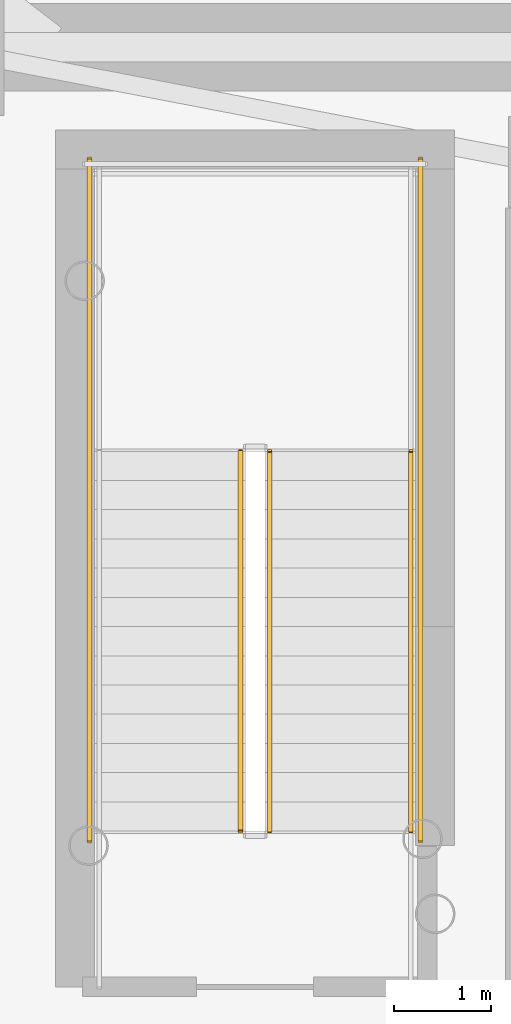
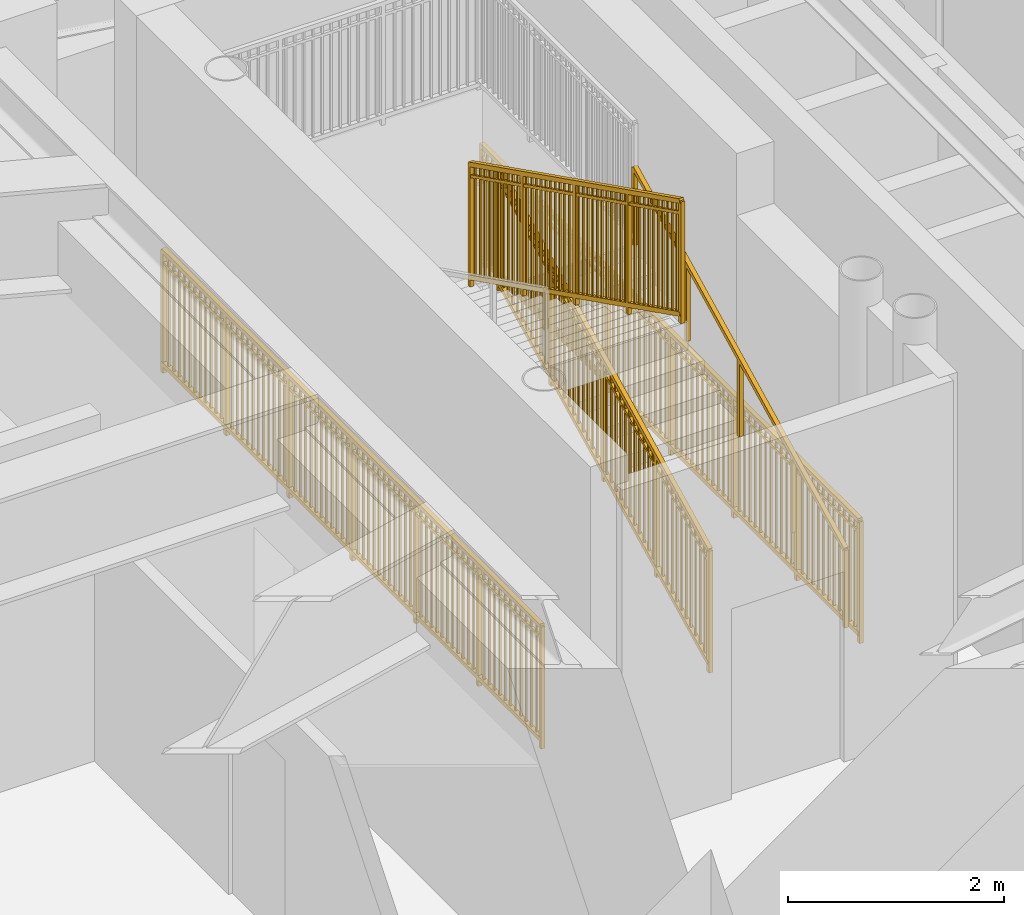
# One storey, part 21 of 27: 5 railings.
"""IFC4 building model written with IfcOpenShell, lengths in metres."""

from ifc_helpers import new_model, si_unit, direction, frame, origin, origin_2d, place, context, subcontext, project, spatial, rectangle, extrude, source, transform, mapped, material, type_object, element, save


model = new_model("IFC4")

# Units and contexts
model_context = context("Model", 3, precision=1e-05, world=origin(), true_north=direction((0.0, 1.0)))
body_context = subcontext(model_context, "Body", "Model", "MODEL_VIEW")
ifc_project = project(units=[si_unit("LENGTHUNIT", "METRE"), si_unit("AREAUNIT", "SQUARE_METRE"), si_unit("VOLUMEUNIT", "CUBIC_METRE"), si_unit("PLANEANGLEUNIT", "RADIAN"), si_unit("MASSUNIT", "GRAM", prefix="KILO")], contexts=[model_context])

# Site, building, storey
site_placement = place(None, origin())
site = spatial("IfcSite", under=ifc_project, at=site_placement, CompositionType="ELEMENT")
building_placement = place(site_placement, origin())
building = spatial("IfcBuilding", under=site, at=building_placement, Name="Linh Dai School and Residence Tower", CompositionType="ELEMENT")
storey_placement = place(building_placement, frame((0.0, 0.0, 22.800048828125)))
storey = spatial("IfcBuildingStorey", under=building, at=storey_placement, Name="L05", CompositionType="ELEMENT", Elevation=22.800048828125)

# Railings
ifc_material_1 = material(Name="Structural Steel S355JR", Category="steel")
railing_type_1 = type_object("IfcRailingType", Name="RL-ST-GUARD-1400", PredefinedType="GUARDRAIL", material=ifc_material_1)
shared_shape_1 = source(origin(), body_context, "Body", "SweptSolid", [
    extrude(rectangle(XDim=0.048095703125, YDim=0.048095703125, at=origin_2d()), frame((0.0, 0.0, 1.3759765625), z_axis=(0.0, 1.0, 0.0), x_axis=(-1.0, 0.0, 0.0)), (0.0, 0.0, 1.0), 7.0),
    extrude(rectangle(XDim=0.048095703125, YDim=0.048095703125, at=origin_2d()), frame((0.0, 0.0, 0.10009765625), z_axis=(0.0, 1.0, 0.0), x_axis=(-1.0, 0.0, 0.0)), (0.0, 0.0, 1.0), 7.0),
    extrude(rectangle(XDim=0.030029296875, YDim=0.030029296875, at=origin_2d()), frame((0.0, 0.0, 1.239990234375), z_axis=(0.0, 1.0, 0.0), x_axis=(-1.0, 0.0, 0.0)), (0.0, 0.0, 1.0), 7.0),
    extrude(rectangle(XDim=0.02001953125, YDim=0.02001953125, at=origin_2d()), frame((0.0, 0.09716796875, 0.10009765625)), (0.0, 0.0, 1.0), 1.251708984375),
    extrude(rectangle(XDim=0.02001953125, YDim=0.02001953125, at=origin_2d()), frame((0.0, 0.1943359375, 0.10009765625)), (0.0, 0.0, 1.0), 1.251708984375),
    extrude(rectangle(XDim=0.02001953125, YDim=0.02001953125, at=origin_2d()), frame((0.0, 0.291748046875, 0.10009765625)), (0.0, 0.0, 1.0), 1.251708984375),
    extrude(rectangle(XDim=0.02001953125, YDim=0.02001953125, at=origin_2d()), frame((0.0, 0.388916015625, 0.10009765625)), (0.0, 0.0, 1.0), 1.251708984375),
    extrude(rectangle(XDim=0.02001953125, YDim=0.02001953125, at=origin_2d()), frame((0.0, 0.486083984375, 0.10009765625)), (0.0, 0.0, 1.0), 1.251708984375),
    extrude(rectangle(XDim=0.02001953125, YDim=0.02001953125, at=origin_2d()), frame((0.0, 0.583251953125, 0.10009765625)), (0.0, 0.0, 1.0), 1.251708984375),
    extrude(rectangle(XDim=0.02001953125, YDim=0.02001953125, at=origin_2d()), frame((0.0, 0.6806640625, 0.10009765625)), (0.0, 0.0, 1.0), 1.251708984375),
    extrude(rectangle(XDim=0.02001953125, YDim=0.02001953125, at=origin_2d()), frame((0.0, 0.77783203125, 0.10009765625)), (0.0, 0.0, 1.0), 1.251708984375),
    extrude(rectangle(XDim=0.02001953125, YDim=0.02001953125, at=origin_2d()), frame((0.0, 0.875, 0.10009765625)), (0.0, 0.0, 1.0), 1.251708984375),
    extrude(rectangle(XDim=0.02001953125, YDim=0.02001953125, at=origin_2d()), frame((0.0, 0.97216796875, 0.10009765625)), (0.0, 0.0, 1.0), 1.251708984375),
    extrude(rectangle(XDim=0.02001953125, YDim=0.02001953125, at=origin_2d()), frame((0.0, 1.0693359375, 0.10009765625)), (0.0, 0.0, 1.0), 1.251708984375),
    extrude(rectangle(XDim=0.02001953125, YDim=0.02001953125, at=origin_2d()), frame((0.0, 1.263916015625, 0.10009765625)), (0.0, 0.0, 1.0), 1.251708984375),
    extrude(rectangle(XDim=0.02001953125, YDim=0.02001953125, at=origin_2d()), frame((0.0, 1.361083984375, 0.10009765625)), (0.0, 0.0, 1.0), 1.251708984375),
    extrude(rectangle(XDim=0.02001953125, YDim=0.02001953125, at=origin_2d()), frame((0.0, 1.458251953125, 0.10009765625)), (0.0, 0.0, 1.0), 1.251708984375),
    extrude(rectangle(XDim=0.02001953125, YDim=0.02001953125, at=origin_2d()), frame((0.0, 1.5556640625, 0.10009765625)), (0.0, 0.0, 1.0), 1.251708984375),
    extrude(rectangle(XDim=0.02001953125, YDim=0.02001953125, at=origin_2d()), frame((0.0, 1.65283203125, 0.10009765625)), (0.0, 0.0, 1.0), 1.251708984375),
    extrude(rectangle(XDim=0.02001953125, YDim=0.02001953125, at=origin_2d()), frame((0.0, 1.75, 0.10009765625)), (0.0, 0.0, 1.0), 1.251708984375),
    extrude(rectangle(XDim=0.02001953125, YDim=0.02001953125, at=origin_2d()), frame((0.0, 1.84716796875, 0.10009765625)), (0.0, 0.0, 1.0), 1.251708984375),
    extrude(rectangle(XDim=0.02001953125, YDim=0.02001953125, at=origin_2d()), frame((0.0, 1.9443359375, 0.10009765625)), (0.0, 0.0, 1.0), 1.251708984375),
    extrude(rectangle(XDim=0.02001953125, YDim=0.02001953125, at=origin_2d()), frame((0.0, 2.041748046875, 0.10009765625)), (0.0, 0.0, 1.0), 1.251708984375),
    extrude(rectangle(XDim=0.02001953125, YDim=0.02001953125, at=origin_2d()), frame((0.0, 2.138916015625, 0.10009765625)), (0.0, 0.0, 1.0), 1.251708984375),
    extrude(rectangle(XDim=0.02001953125, YDim=0.02001953125, at=origin_2d()), frame((0.0, 2.236083984375, 0.10009765625)), (0.0, 0.0, 1.0), 1.251708984375),
    extrude(rectangle(XDim=0.02001953125, YDim=0.02001953125, at=origin_2d()), frame((0.0, 2.4306640625, 0.10009765625)), (0.0, 0.0, 1.0), 1.251708984375),
    extrude(rectangle(XDim=0.02001953125, YDim=0.02001953125, at=origin_2d()), frame((0.0, 2.52783203125, 0.10009765625)), (0.0, 0.0, 1.0), 1.251708984375),
    extrude(rectangle(XDim=0.02001953125, YDim=0.02001953125, at=origin_2d()), frame((0.0, 2.625, 0.10009765625)), (0.0, 0.0, 1.0), 1.251708984375),
    extrude(rectangle(XDim=0.02001953125, YDim=0.02001953125, at=origin_2d()), frame((0.0, 2.72216796875, 0.10009765625)), (0.0, 0.0, 1.0), 1.251708984375),
    extrude(rectangle(XDim=0.02001953125, YDim=0.02001953125, at=origin_2d()), frame((0.0, 2.8193359375, 0.10009765625)), (0.0, 0.0, 1.0), 1.251708984375),
    extrude(rectangle(XDim=0.02001953125, YDim=0.02001953125, at=origin_2d()), frame((0.0, 2.916748046875, 0.10009765625)), (0.0, 0.0, 1.0), 1.251708984375),
    extrude(rectangle(XDim=0.02001953125, YDim=0.02001953125, at=origin_2d()), frame((0.0, 3.013916015625, 0.10009765625)), (0.0, 0.0, 1.0), 1.251708984375),
    extrude(rectangle(XDim=0.02001953125, YDim=0.02001953125, at=origin_2d()), frame((0.0, 3.111083984375, 0.10009765625)), (0.0, 0.0, 1.0), 1.251708984375),
    extrude(rectangle(XDim=0.02001953125, YDim=0.02001953125, at=origin_2d()), frame((0.0, 3.208251953125, 0.10009765625)), (0.0, 0.0, 1.0), 1.251708984375),
    extrude(rectangle(XDim=0.02001953125, YDim=0.02001953125, at=origin_2d()), frame((0.0, 3.3056640625, 0.10009765625)), (0.0, 0.0, 1.0), 1.251708984375),
    extrude(rectangle(XDim=0.02001953125, YDim=0.02001953125, at=origin_2d()), frame((0.0, 3.40283203125, 0.10009765625)), (0.0, 0.0, 1.0), 1.251708984375),
    extrude(rectangle(XDim=0.02001953125, YDim=0.02001953125, at=origin_2d()), frame((0.0, 3.59716796875, 0.10009765625)), (0.0, 0.0, 1.0), 1.251708984375),
    extrude(rectangle(XDim=0.02001953125, YDim=0.02001953125, at=origin_2d()), frame((0.0, 3.6943359375, 0.10009765625)), (0.0, 0.0, 1.0), 1.251708984375),
    extrude(rectangle(XDim=0.02001953125, YDim=0.02001953125, at=origin_2d()), frame((0.0, 3.791748046875, 0.10009765625)), (0.0, 0.0, 1.0), 1.251708984375),
    extrude(rectangle(XDim=0.02001953125, YDim=0.02001953125, at=origin_2d()), frame((0.0, 3.888916015625, 0.10009765625)), (0.0, 0.0, 1.0), 1.251708984375),
    extrude(rectangle(XDim=0.02001953125, YDim=0.02001953125, at=origin_2d()), frame((0.0, 3.986083984375, 0.10009765625)), (0.0, 0.0, 1.0), 1.251708984375),
    extrude(rectangle(XDim=0.02001953125, YDim=0.02001953125, at=origin_2d()), frame((0.0, 4.083251953125, 0.10009765625)), (0.0, 0.0, 1.0), 1.251708984375),
    extrude(rectangle(XDim=0.02001953125, YDim=0.02001953125, at=origin_2d()), frame((0.0, 4.1806640625, 0.10009765625)), (0.0, 0.0, 1.0), 1.251708984375),
    extrude(rectangle(XDim=0.02001953125, YDim=0.02001953125, at=origin_2d()), frame((0.0, 4.27783203125, 0.10009765625)), (0.0, 0.0, 1.0), 1.251708984375),
    extrude(rectangle(XDim=0.02001953125, YDim=0.02001953125, at=origin_2d()), frame((0.0, 4.375, 0.10009765625)), (0.0, 0.0, 1.0), 1.251708984375),
    extrude(rectangle(XDim=0.02001953125, YDim=0.02001953125, at=origin_2d()), frame((0.0, 4.47216796875, 0.10009765625)), (0.0, 0.0, 1.0), 1.251708984375),
    extrude(rectangle(XDim=0.02001953125, YDim=0.02001953125, at=origin_2d()), frame((0.0, 4.5693359375, 0.10009765625)), (0.0, 0.0, 1.0), 1.251708984375),
    extrude(rectangle(XDim=0.02001953125, YDim=0.02001953125, at=origin_2d()), frame((0.0, 4.763916015625, 0.10009765625)), (0.0, 0.0, 1.0), 1.251708984375),
    extrude(rectangle(XDim=0.02001953125, YDim=0.02001953125, at=origin_2d()), frame((0.0, 4.861083984375, 0.10009765625)), (0.0, 0.0, 1.0), 1.251708984375),
    extrude(rectangle(XDim=0.02001953125, YDim=0.02001953125, at=origin_2d()), frame((0.0, 4.958251953125, 0.10009765625)), (0.0, 0.0, 1.0), 1.251708984375),
    extrude(rectangle(XDim=0.02001953125, YDim=0.02001953125, at=origin_2d()), frame((0.0, 5.0556640625, 0.10009765625)), (0.0, 0.0, 1.0), 1.251708984375),
    extrude(rectangle(XDim=0.02001953125, YDim=0.02001953125, at=origin_2d()), frame((0.0, 5.15283203125, 0.10009765625)), (0.0, 0.0, 1.0), 1.251708984375),
    extrude(rectangle(XDim=0.02001953125, YDim=0.02001953125, at=origin_2d()), frame((0.0, 5.25, 0.10009765625)), (0.0, 0.0, 1.0), 1.251708984375),
    extrude(rectangle(XDim=0.02001953125, YDim=0.02001953125, at=origin_2d()), frame((0.0, 5.34716796875, 0.10009765625)), (0.0, 0.0, 1.0), 1.251708984375),
    extrude(rectangle(XDim=0.02001953125, YDim=0.02001953125, at=origin_2d()), frame((0.0, 5.4443359375, 0.10009765625)), (0.0, 0.0, 1.0), 1.251708984375),
    extrude(rectangle(XDim=0.02001953125, YDim=0.02001953125, at=origin_2d()), frame((0.0, 5.541748046875, 0.10009765625)), (0.0, 0.0, 1.0), 1.251708984375),
    extrude(rectangle(XDim=0.02001953125, YDim=0.02001953125, at=origin_2d()), frame((0.0, 5.638916015625, 0.10009765625)), (0.0, 0.0, 1.0), 1.251708984375),
    extrude(rectangle(XDim=0.02001953125, YDim=0.02001953125, at=origin_2d()), frame((0.0, 5.736083984375, 0.10009765625)), (0.0, 0.0, 1.0), 1.251708984375),
    extrude(rectangle(XDim=0.02001953125, YDim=0.02001953125, at=origin_2d()), frame((0.0, 5.9306640625, 0.10009765625)), (0.0, 0.0, 1.0), 1.251708984375),
    extrude(rectangle(XDim=0.02001953125, YDim=0.02001953125, at=origin_2d()), frame((0.0, 6.02783203125, 0.10009765625)), (0.0, 0.0, 1.0), 1.251708984375),
    extrude(rectangle(XDim=0.02001953125, YDim=0.02001953125, at=origin_2d()), frame((0.0, 6.125, 0.10009765625)), (0.0, 0.0, 1.0), 1.251708984375),
    extrude(rectangle(XDim=0.02001953125, YDim=0.02001953125, at=origin_2d()), frame((0.0, 6.22216796875, 0.10009765625)), (0.0, 0.0, 1.0), 1.251708984375),
    extrude(rectangle(XDim=0.02001953125, YDim=0.02001953125, at=origin_2d()), frame((0.0, 6.3193359375, 0.10009765625)), (0.0, 0.0, 1.0), 1.251708984375),
    extrude(rectangle(XDim=0.02001953125, YDim=0.02001953125, at=origin_2d()), frame((0.0, 6.416748046875, 0.10009765625)), (0.0, 0.0, 1.0), 1.251708984375),
    extrude(rectangle(XDim=0.02001953125, YDim=0.02001953125, at=origin_2d()), frame((0.0, 6.513916015625, 0.10009765625)), (0.0, 0.0, 1.0), 1.251708984375),
    extrude(rectangle(XDim=0.02001953125, YDim=0.02001953125, at=origin_2d()), frame((0.0, 6.611083984375, 0.10009765625)), (0.0, 0.0, 1.0), 1.251708984375),
    extrude(rectangle(XDim=0.02001953125, YDim=0.02001953125, at=origin_2d()), frame((0.0, 6.708251953125, 0.10009765625)), (0.0, 0.0, 1.0), 1.251708984375),
    extrude(rectangle(XDim=0.02001953125, YDim=0.02001953125, at=origin_2d()), frame((0.0, 6.8056640625, 0.10009765625)), (0.0, 0.0, 1.0), 1.251708984375),
    extrude(rectangle(XDim=0.02001953125, YDim=0.02001953125, at=origin_2d()), frame((0.0, 6.90283203125, 0.10009765625)), (0.0, 0.0, 1.0), 1.251708984375),
    extrude(rectangle(XDim=0.0419921875, YDim=0.0419921875, at=origin_2d()), origin(), (0.0, 0.0, 1.0), 1.3759765625),
    extrude(rectangle(XDim=0.0419921875, YDim=0.0419921875, at=origin_2d()), frame((0.0, 1.166748046875, 0.0)), (0.0, 0.0, 1.0), 1.3759765625),
    extrude(rectangle(XDim=0.0419921875, YDim=0.0419921875, at=origin_2d()), frame((0.0, 2.333251953125, 0.0)), (0.0, 0.0, 1.0), 1.3759765625),
    extrude(rectangle(XDim=0.0419921875, YDim=0.0419921875, at=origin_2d()), frame((0.0, 3.5, 0.0)), (0.0, 0.0, 1.0), 1.3759765625),
    extrude(rectangle(XDim=0.0419921875, YDim=0.0419921875, at=origin_2d()), frame((0.0, 4.666748046875, 0.0)), (0.0, 0.0, 1.0), 1.3759765625),
    extrude(rectangle(XDim=0.0419921875, YDim=0.0419921875, at=origin_2d()), frame((0.0, 5.833251953125, 0.0)), (0.0, 0.0, 1.0), 1.3759765625),
    extrude(rectangle(XDim=0.0419921875, YDim=0.0419921875, at=origin_2d()), frame((0.0, 7.0, 0.0)), (0.0, 0.0, 1.0), 1.3759765625),
])
for number, where, name in (
    (1, (31.030029296875, 25.60009765625, 0.0), "L05 ST1 stair guard 10"),
    (2, (27.6298828125, 25.60009765625, 0.0), "L05 ST1 stair guard 11"),
):
    element("IfcRailing", number, at=place(storey_placement, frame(where)), inside=storey, type_object=railing_type_1, Name=name, PredefinedType="GUARDRAIL", context=body_context, shape_type="MappedRepresentation", body=[
        mapped(shared_shape_1, transform((0.0, 0.0, 0.0), x_axis=(1.0, 0.0, 0.0), y_axis=(0.0, 1.0, 0.0), z_axis=(0.0, 0.0, 1.0), scale=1.0)),
    ])
shared_shape_2 = source(origin(), body_context, "Body", "SweptSolid", [
    extrude(rectangle(XDim=0.048095703125, YDim=0.048095703125, at=origin_2d()), frame((0.0, 0.0, 1.3759765625), z_axis=(0.0, -0.894438388696, 0.447191199406), x_axis=(1.0, 0.0, 0.0)), (0.0, 0.0, 1.0), 4.3603515625),
    extrude(rectangle(XDim=0.048095703125, YDim=0.048095703125, at=origin_2d()), frame((0.0, 0.0, 0.10009765625), z_axis=(0.0, -0.894438388696, 0.447191199406), x_axis=(1.0, 0.0, 0.0)), (0.0, 0.0, 1.0), 4.3603515625),
    extrude(rectangle(XDim=0.030029296875, YDim=0.030029296875, at=origin_2d()), frame((0.0, 0.0, 1.239990234375), z_axis=(0.0, -0.894438388696, 0.447191199406), x_axis=(1.0, 0.0, 0.0)), (0.0, 0.0, 1.0), 4.3603515625),
    extrude(rectangle(XDim=0.02001953125, YDim=0.02001953125, at=origin_2d()), frame((0.0, -0.086669921875, 0.143310546875)), (0.0, 0.0, 1.0), 1.251708984375),
    extrude(rectangle(XDim=0.02001953125, YDim=0.02001953125, at=origin_2d()), frame((0.0, -0.17333984375, 0.186767578125)), (0.0, 0.0, 1.0), 1.251708984375),
    extrude(rectangle(XDim=0.02001953125, YDim=0.02001953125, at=origin_2d()), frame((0.0, -0.260009765625, 0.22998046875)), (0.0, 0.0, 1.0), 1.251708984375),
    extrude(rectangle(XDim=0.02001953125, YDim=0.02001953125, at=origin_2d()), frame((0.0, -0.3466796875, 0.2734375)), (0.0, 0.0, 1.0), 1.251708984375),
    extrude(rectangle(XDim=0.02001953125, YDim=0.02001953125, at=origin_2d()), frame((0.0, -0.433349609375, 0.316650390625)), (0.0, 0.0, 1.0), 1.251708984375),
    extrude(rectangle(XDim=0.02001953125, YDim=0.02001953125, at=origin_2d()), frame((0.0, -0.52001953125, 0.360107421875)), (0.0, 0.0, 1.0), 1.251708984375),
    extrude(rectangle(XDim=0.02001953125, YDim=0.02001953125, at=origin_2d()), frame((0.0, -0.606689453125, 0.4033203125)), (0.0, 0.0, 1.0), 1.251708984375),
    extrude(rectangle(XDim=0.02001953125, YDim=0.02001953125, at=origin_2d()), frame((0.0, -0.693359375, 0.44677734375)), (0.0, 0.0, 1.0), 1.251708984375),
    extrude(rectangle(XDim=0.02001953125, YDim=0.02001953125, at=origin_2d()), frame((0.0, -0.780029296875, 0.489990234375)), (0.0, 0.0, 1.0), 1.251708984375),
    extrude(rectangle(XDim=0.02001953125, YDim=0.02001953125, at=origin_2d()), frame((0.0, -0.86669921875, 0.533447265625)), (0.0, 0.0, 1.0), 1.251708984375),
    extrude(rectangle(XDim=0.02001953125, YDim=0.02001953125, at=origin_2d()), frame((0.0, -1.0400390625, 0.6201171875)), (0.0, 0.0, 1.0), 1.251708984375),
    extrude(rectangle(XDim=0.02001953125, YDim=0.02001953125, at=origin_2d()), frame((0.0, -1.126708984375, 0.663330078125)), (0.0, 0.0, 1.0), 1.251708984375),
    extrude(rectangle(XDim=0.02001953125, YDim=0.02001953125, at=origin_2d()), frame((0.0, -1.21337890625, 0.706787109375)), (0.0, 0.0, 1.0), 1.251708984375),
    extrude(rectangle(XDim=0.02001953125, YDim=0.02001953125, at=origin_2d()), frame((0.0, -1.300048828125, 0.75)), (0.0, 0.0, 1.0), 1.251708984375),
    extrude(rectangle(XDim=0.02001953125, YDim=0.02001953125, at=origin_2d()), frame((0.0, -1.38671875, 0.79345703125)), (0.0, 0.0, 1.0), 1.251708984375),
    extrude(rectangle(XDim=0.02001953125, YDim=0.02001953125, at=origin_2d()), frame((0.0, -1.473388671875, 0.836669921875)), (0.0, 0.0, 1.0), 1.251708984375),
    extrude(rectangle(XDim=0.02001953125, YDim=0.02001953125, at=origin_2d()), frame((0.0, -1.56005859375, 0.880126953125)), (0.0, 0.0, 1.0), 1.251708984375),
    extrude(rectangle(XDim=0.02001953125, YDim=0.02001953125, at=origin_2d()), frame((0.0, -1.646728515625, 0.92333984375)), (0.0, 0.0, 1.0), 1.251708984375),
    extrude(rectangle(XDim=0.02001953125, YDim=0.02001953125, at=origin_2d()), frame((0.0, -1.7333984375, 0.966796875)), (0.0, 0.0, 1.0), 1.251708984375),
    extrude(rectangle(XDim=0.02001953125, YDim=0.02001953125, at=origin_2d()), frame((0.0, -1.820068359375, 1.010009765625)), (0.0, 0.0, 1.0), 1.251708984375),
    extrude(rectangle(XDim=0.02001953125, YDim=0.02001953125, at=origin_2d()), frame((0.0, -1.90673828125, 1.053466796875)), (0.0, 0.0, 1.0), 1.251708984375),
    extrude(rectangle(XDim=0.02001953125, YDim=0.02001953125, at=origin_2d()), frame((0.0, -1.993408203125, 1.0966796875)), (0.0, 0.0, 1.0), 1.251708984375),
    extrude(rectangle(XDim=0.02001953125, YDim=0.02001953125, at=origin_2d()), frame((0.0, -2.080078125, 1.14013671875)), (0.0, 0.0, 1.0), 1.251708984375),
    extrude(rectangle(XDim=0.02001953125, YDim=0.02001953125, at=origin_2d()), frame((0.0, -2.166748046875, 1.183349609375)), (0.0, 0.0, 1.0), 1.251708984375),
    extrude(rectangle(XDim=0.02001953125, YDim=0.02001953125, at=origin_2d()), frame((0.0, -2.25341796875, 1.226806640625)), (0.0, 0.0, 1.0), 1.251708984375),
    extrude(rectangle(XDim=0.02001953125, YDim=0.02001953125, at=origin_2d()), frame((0.0, -2.340087890625, 1.27001953125)), (0.0, 0.0, 1.0), 1.251708984375),
    extrude(rectangle(XDim=0.02001953125, YDim=0.02001953125, at=origin_2d()), frame((0.0, -2.4267578125, 1.3134765625)), (0.0, 0.0, 1.0), 1.251708984375),
    extrude(rectangle(XDim=0.02001953125, YDim=0.02001953125, at=origin_2d()), frame((0.0, -2.513427734375, 1.356689453125)), (0.0, 0.0, 1.0), 1.251708984375),
    extrude(rectangle(XDim=0.02001953125, YDim=0.02001953125, at=origin_2d()), frame((0.0, -2.60009765625, 1.400146484375)), (0.0, 0.0, 1.0), 1.251708984375),
    extrude(rectangle(XDim=0.02001953125, YDim=0.02001953125, at=origin_2d()), frame((0.0, -2.686767578125, 1.443359375)), (0.0, 0.0, 1.0), 1.251708984375),
    extrude(rectangle(XDim=0.02001953125, YDim=0.02001953125, at=origin_2d()), frame((0.0, -2.7734375, 1.48681640625)), (0.0, 0.0, 1.0), 1.251708984375),
    extrude(rectangle(XDim=0.02001953125, YDim=0.02001953125, at=origin_2d()), frame((0.0, -2.860107421875, 1.530029296875)), (0.0, 0.0, 1.0), 1.251708984375),
    extrude(rectangle(XDim=0.02001953125, YDim=0.02001953125, at=origin_2d()), frame((0.0, -3.033447265625, 1.61669921875)), (0.0, 0.0, 1.0), 1.251708984375),
    extrude(rectangle(XDim=0.02001953125, YDim=0.02001953125, at=origin_2d()), frame((0.0, -3.1201171875, 1.66015625)), (0.0, 0.0, 1.0), 1.251708984375),
    extrude(rectangle(XDim=0.02001953125, YDim=0.02001953125, at=origin_2d()), frame((0.0, -3.206787109375, 1.703369140625)), (0.0, 0.0, 1.0), 1.251708984375),
    extrude(rectangle(XDim=0.02001953125, YDim=0.02001953125, at=origin_2d()), frame((0.0, -3.29345703125, 1.746826171875)), (0.0, 0.0, 1.0), 1.251708984375),
    extrude(rectangle(XDim=0.02001953125, YDim=0.02001953125, at=origin_2d()), frame((0.0, -3.380126953125, 1.7900390625)), (0.0, 0.0, 1.0), 1.251708984375),
    extrude(rectangle(XDim=0.02001953125, YDim=0.02001953125, at=origin_2d()), frame((0.0, -3.466796875, 1.83349609375)), (0.0, 0.0, 1.0), 1.251708984375),
    extrude(rectangle(XDim=0.02001953125, YDim=0.02001953125, at=origin_2d()), frame((0.0, -3.553466796875, 1.876708984375)), (0.0, 0.0, 1.0), 1.251708984375),
    extrude(rectangle(XDim=0.02001953125, YDim=0.02001953125, at=origin_2d()), frame((0.0, -3.64013671875, 1.920166015625)), (0.0, 0.0, 1.0), 1.251708984375),
    extrude(rectangle(XDim=0.02001953125, YDim=0.02001953125, at=origin_2d()), frame((0.0, -3.726806640625, 1.96337890625)), (0.0, 0.0, 1.0), 1.251708984375),
    extrude(rectangle(XDim=0.02001953125, YDim=0.02001953125, at=origin_2d()), frame((0.0, -3.8134765625, 2.0068359375)), (0.0, 0.0, 1.0), 1.251708984375),
    extrude(rectangle(XDim=0.0419921875, YDim=0.0419921875, at=origin_2d()), origin(), (0.0, 0.0, 1.0), 1.3759765625),
    extrude(rectangle(XDim=0.0419921875, YDim=0.0419921875, at=origin_2d()), frame((0.0, -0.97509765625, 0.487548828125)), (0.0, 0.0, 1.0), 1.3759765625),
    extrude(rectangle(XDim=0.0419921875, YDim=0.0419921875, at=origin_2d()), frame((0.0, -1.9501953125, 0.97509765625)), (0.0, 0.0, 1.0), 1.3759765625),
    extrude(rectangle(XDim=0.0419921875, YDim=0.0419921875, at=origin_2d()), frame((0.0, -2.925048828125, 1.46240234375)), (0.0, 0.0, 1.0), 1.3759765625),
    extrude(rectangle(XDim=0.0419921875, YDim=0.0419921875, at=origin_2d()), frame((0.0, -3.900146484375, 1.949951171875)), (0.0, 0.0, 1.0), 1.3759765625),
])
railing_1_placement = place(storey_placement, frame((29.179931640625, 29.60009765625, 2.25)))
element("IfcRailing", 3, at=railing_1_placement, inside=storey, type_object=railing_type_1, Name="L05 ST1 stair guard 6", PredefinedType="GUARDRAIL", context=body_context, shape_type="MappedRepresentation", body=[
    mapped(shared_shape_2, transform((0.0, 0.0, 0.0), x_axis=(1.0, 0.0, 0.0), y_axis=(0.0, 1.0, 0.0), z_axis=(0.0, 0.0, 1.0), scale=1.0)),
])
shared_shape_3 = source(origin(), body_context, "Body", "SweptSolid", [
    extrude(rectangle(XDim=0.048095703125, YDim=0.048095703125, at=origin_2d()), frame((0.0, 0.0, 1.3759765625), z_axis=(0.0, 0.894438388696, 0.447191199406), x_axis=(-1.0, 0.0, 0.0)), (0.0, 0.0, 1.0), 4.3603515625),
    extrude(rectangle(XDim=0.048095703125, YDim=0.048095703125, at=origin_2d()), frame((0.0, 0.0, 0.10009765625), z_axis=(0.0, 0.894438388696, 0.447191199406), x_axis=(-1.0, 0.0, 0.0)), (0.0, 0.0, 1.0), 4.3603515625),
    extrude(rectangle(XDim=0.030029296875, YDim=0.030029296875, at=origin_2d()), frame((0.0, 0.0, 1.239990234375), z_axis=(0.0, 0.894438388696, 0.447191199406), x_axis=(-1.0, 0.0, 0.0)), (0.0, 0.0, 1.0), 4.3603515625),
    extrude(rectangle(XDim=0.02001953125, YDim=0.02001953125, at=origin_2d()), frame((0.0, 0.086669921875, 0.143310546875)), (0.0, 0.0, 1.0), 1.251708984375),
    extrude(rectangle(XDim=0.02001953125, YDim=0.02001953125, at=origin_2d()), frame((0.0, 0.17333984375, 0.186767578125)), (0.0, 0.0, 1.0), 1.251708984375),
    extrude(rectangle(XDim=0.02001953125, YDim=0.02001953125, at=origin_2d()), frame((0.0, 0.260009765625, 0.22998046875)), (0.0, 0.0, 1.0), 1.251708984375),
    extrude(rectangle(XDim=0.02001953125, YDim=0.02001953125, at=origin_2d()), frame((0.0, 0.3466796875, 0.2734375)), (0.0, 0.0, 1.0), 1.251708984375),
    extrude(rectangle(XDim=0.02001953125, YDim=0.02001953125, at=origin_2d()), frame((0.0, 0.433349609375, 0.316650390625)), (0.0, 0.0, 1.0), 1.251708984375),
    extrude(rectangle(XDim=0.02001953125, YDim=0.02001953125, at=origin_2d()), frame((0.0, 0.52001953125, 0.360107421875)), (0.0, 0.0, 1.0), 1.251708984375),
    extrude(rectangle(XDim=0.02001953125, YDim=0.02001953125, at=origin_2d()), frame((0.0, 0.606689453125, 0.4033203125)), (0.0, 0.0, 1.0), 1.251708984375),
    extrude(rectangle(XDim=0.02001953125, YDim=0.02001953125, at=origin_2d()), frame((0.0, 0.693359375, 0.44677734375)), (0.0, 0.0, 1.0), 1.251708984375),
    extrude(rectangle(XDim=0.02001953125, YDim=0.02001953125, at=origin_2d()), frame((0.0, 0.780029296875, 0.489990234375)), (0.0, 0.0, 1.0), 1.251708984375),
    extrude(rectangle(XDim=0.02001953125, YDim=0.02001953125, at=origin_2d()), frame((0.0, 0.86669921875, 0.533447265625)), (0.0, 0.0, 1.0), 1.251708984375),
    extrude(rectangle(XDim=0.02001953125, YDim=0.02001953125, at=origin_2d()), frame((0.0, 1.0400390625, 0.6201171875)), (0.0, 0.0, 1.0), 1.251708984375),
    extrude(rectangle(XDim=0.02001953125, YDim=0.02001953125, at=origin_2d()), frame((0.0, 1.126708984375, 0.663330078125)), (0.0, 0.0, 1.0), 1.251708984375),
    extrude(rectangle(XDim=0.02001953125, YDim=0.02001953125, at=origin_2d()), frame((0.0, 1.21337890625, 0.706787109375)), (0.0, 0.0, 1.0), 1.251708984375),
    extrude(rectangle(XDim=0.02001953125, YDim=0.02001953125, at=origin_2d()), frame((0.0, 1.300048828125, 0.75)), (0.0, 0.0, 1.0), 1.251708984375),
    extrude(rectangle(XDim=0.02001953125, YDim=0.02001953125, at=origin_2d()), frame((0.0, 1.38671875, 0.79345703125)), (0.0, 0.0, 1.0), 1.251708984375),
    extrude(rectangle(XDim=0.02001953125, YDim=0.02001953125, at=origin_2d()), frame((0.0, 1.473388671875, 0.836669921875)), (0.0, 0.0, 1.0), 1.251708984375),
    extrude(rectangle(XDim=0.02001953125, YDim=0.02001953125, at=origin_2d()), frame((0.0, 1.56005859375, 0.880126953125)), (0.0, 0.0, 1.0), 1.251708984375),
    extrude(rectangle(XDim=0.02001953125, YDim=0.02001953125, at=origin_2d()), frame((0.0, 1.646728515625, 0.92333984375)), (0.0, 0.0, 1.0), 1.251708984375),
    extrude(rectangle(XDim=0.02001953125, YDim=0.02001953125, at=origin_2d()), frame((0.0, 1.7333984375, 0.966796875)), (0.0, 0.0, 1.0), 1.251708984375),
    extrude(rectangle(XDim=0.02001953125, YDim=0.02001953125, at=origin_2d()), frame((0.0, 1.820068359375, 1.010009765625)), (0.0, 0.0, 1.0), 1.251708984375),
    extrude(rectangle(XDim=0.02001953125, YDim=0.02001953125, at=origin_2d()), frame((0.0, 1.90673828125, 1.053466796875)), (0.0, 0.0, 1.0), 1.251708984375),
    extrude(rectangle(XDim=0.02001953125, YDim=0.02001953125, at=origin_2d()), frame((0.0, 1.993408203125, 1.0966796875)), (0.0, 0.0, 1.0), 1.251708984375),
    extrude(rectangle(XDim=0.02001953125, YDim=0.02001953125, at=origin_2d()), frame((0.0, 2.080078125, 1.14013671875)), (0.0, 0.0, 1.0), 1.251708984375),
    extrude(rectangle(XDim=0.02001953125, YDim=0.02001953125, at=origin_2d()), frame((0.0, 2.166748046875, 1.183349609375)), (0.0, 0.0, 1.0), 1.251708984375),
    extrude(rectangle(XDim=0.02001953125, YDim=0.02001953125, at=origin_2d()), frame((0.0, 2.25341796875, 1.226806640625)), (0.0, 0.0, 1.0), 1.251708984375),
    extrude(rectangle(XDim=0.02001953125, YDim=0.02001953125, at=origin_2d()), frame((0.0, 2.340087890625, 1.27001953125)), (0.0, 0.0, 1.0), 1.251708984375),
    extrude(rectangle(XDim=0.02001953125, YDim=0.02001953125, at=origin_2d()), frame((0.0, 2.4267578125, 1.3134765625)), (0.0, 0.0, 1.0), 1.251708984375),
    extrude(rectangle(XDim=0.02001953125, YDim=0.02001953125, at=origin_2d()), frame((0.0, 2.513427734375, 1.356689453125)), (0.0, 0.0, 1.0), 1.251708984375),
    extrude(rectangle(XDim=0.02001953125, YDim=0.02001953125, at=origin_2d()), frame((0.0, 2.60009765625, 1.400146484375)), (0.0, 0.0, 1.0), 1.251708984375),
    extrude(rectangle(XDim=0.02001953125, YDim=0.02001953125, at=origin_2d()), frame((0.0, 2.686767578125, 1.443359375)), (0.0, 0.0, 1.0), 1.251708984375),
    extrude(rectangle(XDim=0.02001953125, YDim=0.02001953125, at=origin_2d()), frame((0.0, 2.7734375, 1.48681640625)), (0.0, 0.0, 1.0), 1.251708984375),
    extrude(rectangle(XDim=0.02001953125, YDim=0.02001953125, at=origin_2d()), frame((0.0, 2.860107421875, 1.530029296875)), (0.0, 0.0, 1.0), 1.251708984375),
    extrude(rectangle(XDim=0.02001953125, YDim=0.02001953125, at=origin_2d()), frame((0.0, 3.033447265625, 1.61669921875)), (0.0, 0.0, 1.0), 1.251708984375),
    extrude(rectangle(XDim=0.02001953125, YDim=0.02001953125, at=origin_2d()), frame((0.0, 3.1201171875, 1.66015625)), (0.0, 0.0, 1.0), 1.251708984375),
    extrude(rectangle(XDim=0.02001953125, YDim=0.02001953125, at=origin_2d()), frame((0.0, 3.206787109375, 1.703369140625)), (0.0, 0.0, 1.0), 1.251708984375),
    extrude(rectangle(XDim=0.02001953125, YDim=0.02001953125, at=origin_2d()), frame((0.0, 3.29345703125, 1.746826171875)), (0.0, 0.0, 1.0), 1.251708984375),
    extrude(rectangle(XDim=0.02001953125, YDim=0.02001953125, at=origin_2d()), frame((0.0, 3.380126953125, 1.7900390625)), (0.0, 0.0, 1.0), 1.251708984375),
    extrude(rectangle(XDim=0.02001953125, YDim=0.02001953125, at=origin_2d()), frame((0.0, 3.466796875, 1.83349609375)), (0.0, 0.0, 1.0), 1.251708984375),
    extrude(rectangle(XDim=0.02001953125, YDim=0.02001953125, at=origin_2d()), frame((0.0, 3.553466796875, 1.876708984375)), (0.0, 0.0, 1.0), 1.251708984375),
    extrude(rectangle(XDim=0.02001953125, YDim=0.02001953125, at=origin_2d()), frame((0.0, 3.64013671875, 1.920166015625)), (0.0, 0.0, 1.0), 1.251708984375),
    extrude(rectangle(XDim=0.02001953125, YDim=0.02001953125, at=origin_2d()), frame((0.0, 3.726806640625, 1.96337890625)), (0.0, 0.0, 1.0), 1.251708984375),
    extrude(rectangle(XDim=0.02001953125, YDim=0.02001953125, at=origin_2d()), frame((0.0, 3.8134765625, 2.0068359375)), (0.0, 0.0, 1.0), 1.251708984375),
    extrude(rectangle(XDim=0.0419921875, YDim=0.0419921875, at=origin_2d()), origin(), (0.0, 0.0, 1.0), 1.3759765625),
    extrude(rectangle(XDim=0.0419921875, YDim=0.0419921875, at=origin_2d()), frame((0.0, 0.97509765625, 0.487548828125)), (0.0, 0.0, 1.0), 1.3759765625),
    extrude(rectangle(XDim=0.0419921875, YDim=0.0419921875, at=origin_2d()), frame((0.0, 1.9501953125, 0.97509765625)), (0.0, 0.0, 1.0), 1.3759765625),
    extrude(rectangle(XDim=0.0419921875, YDim=0.0419921875, at=origin_2d()), frame((0.0, 2.925048828125, 1.46240234375)), (0.0, 0.0, 1.0), 1.3759765625),
    extrude(rectangle(XDim=0.0419921875, YDim=0.0419921875, at=origin_2d()), frame((0.0, 3.900146484375, 1.949951171875)), (0.0, 0.0, 1.0), 1.3759765625),
])
railing_2_placement = place(storey_placement, frame((29.47998046875, 25.699951171875, 0.14990234375)))
element("IfcRailing", 4, at=railing_2_placement, inside=storey, type_object=railing_type_1, Name="L05 ST1 stair guard 1", PredefinedType="GUARDRAIL", context=body_context, shape_type="MappedRepresentation", body=[
    mapped(shared_shape_3, transform((0.0, 0.0, 0.0), x_axis=(1.0, 0.0, 0.0), y_axis=(0.0, 1.0, 0.0), z_axis=(0.0, 0.0, 1.0), scale=1.0)),
])
ifc_material_2 = material(Name="Brushed Stainless Steel Handrail", Category="steel")
railing_type_2 = type_object("IfcRailingType", Name="RL-ST-HANDRAIL-900", PredefinedType="HANDRAIL", material=ifc_material_2)
shared_shape_4 = source(origin(), body_context, "Body", "SweptSolid", [
    extrude(rectangle(XDim=0.048095703125, YDim=0.048095703125, at=origin_2d()), frame((0.0, 0.0, 0.8759765625), z_axis=(0.0, 0.894438388696, 0.447191199406), x_axis=(-1.0, 0.0, 0.0)), (0.0, 0.0, 1.0), 4.3603515625),
    extrude(rectangle(XDim=0.0419921875, YDim=0.0419921875, at=origin_2d()), origin(), (0.0, 0.0, 1.0), 0.8759765625),
    extrude(rectangle(XDim=0.0419921875, YDim=0.0419921875, at=origin_2d()), frame((0.0, 0.97509765625, 0.487548828125)), (0.0, 0.0, 1.0), 0.8759765625),
    extrude(rectangle(XDim=0.0419921875, YDim=0.0419921875, at=origin_2d()), frame((0.0, 1.9501953125, 0.97509765625)), (0.0, 0.0, 1.0), 0.8759765625),
    extrude(rectangle(XDim=0.0419921875, YDim=0.0419921875, at=origin_2d()), frame((0.0, 2.925048828125, 1.46240234375)), (0.0, 0.0, 1.0), 0.8759765625),
    extrude(rectangle(XDim=0.0419921875, YDim=0.0419921875, at=origin_2d()), frame((0.0, 3.900146484375, 1.949951171875)), (0.0, 0.0, 1.0), 0.8759765625),
])
railing_3_placement = place(storey_placement, frame((30.929931640625, 25.699951171875, 0.14990234375)))
element("IfcRailing", 5, at=railing_3_placement, inside=storey, type_object=railing_type_2, Name="L05 ST1 stair handrail 1", PredefinedType="HANDRAIL", context=body_context, shape_type="MappedRepresentation", body=[
    mapped(shared_shape_4, transform((0.0, 0.0, 0.0), x_axis=(1.0, 0.0, 0.0), y_axis=(0.0, 1.0, 0.0), z_axis=(0.0, 0.0, 1.0), scale=1.0)),
])

save(model, "model.ifc")
